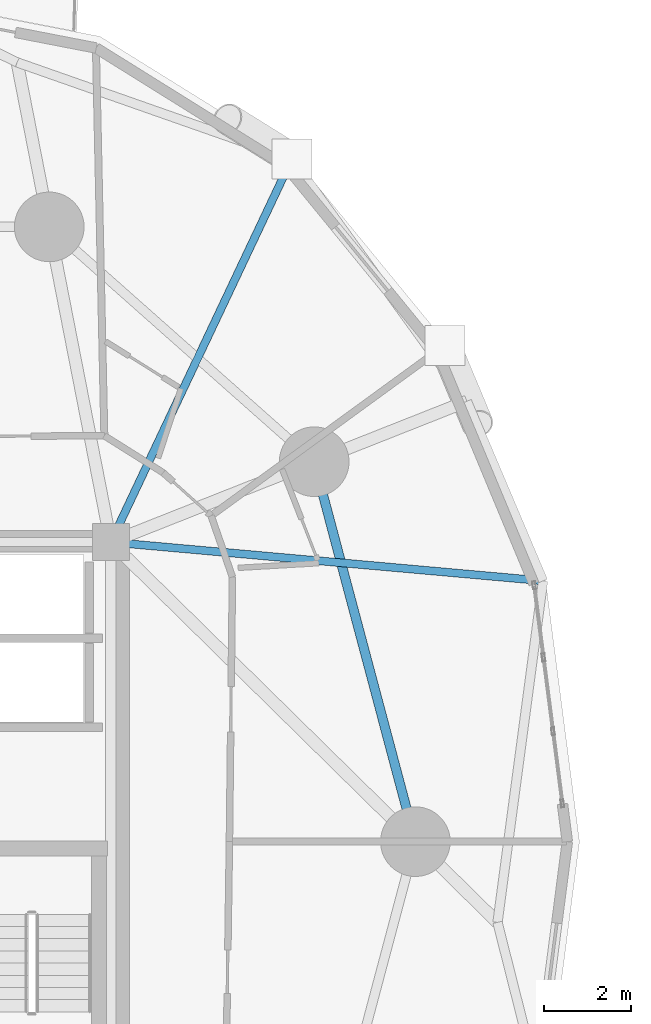
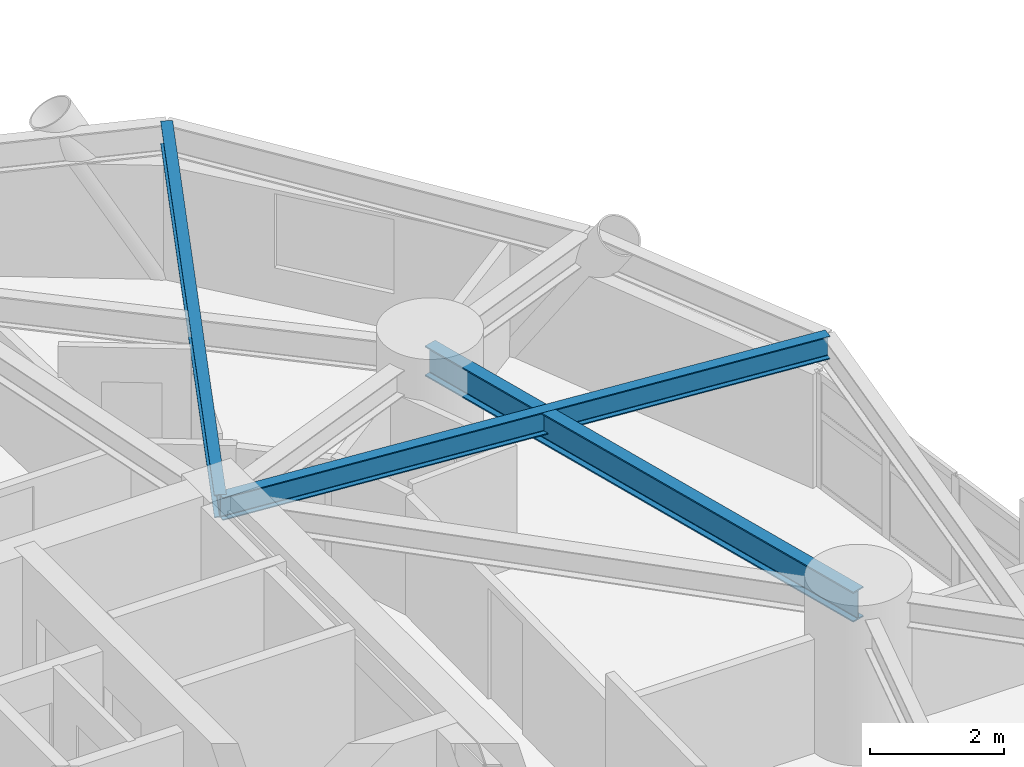
# One storey, part 3 of 19: 3 beams.
"""IFC4 building model written with IfcOpenShell, lengths in metres."""

from ifc_helpers import new_model, si_unit, direction, frame, origin, origin_2d, place, context, subcontext, project, spatial, i_section, extrude, material, material_profile, profile_set, type_object, element, save


model = new_model("IFC4")

# Units and contexts
model_context = context("Model", 3, precision=1e-05, world=origin(), true_north=direction((0.0, 1.0)))
body_context = subcontext(model_context, "Body", "Model", "MODEL_VIEW")
ifc_project = project(units=[si_unit("LENGTHUNIT", "METRE"), si_unit("AREAUNIT", "SQUARE_METRE"), si_unit("VOLUMEUNIT", "CUBIC_METRE"), si_unit("PLANEANGLEUNIT", "RADIAN"), si_unit("MASSUNIT", "GRAM", prefix="KILO")], contexts=[model_context])

# Site, building, storey
site_placement = place(None, origin())
site = spatial("IfcSite", under=ifc_project, at=site_placement, CompositionType="ELEMENT")
building_placement = place(site_placement, origin())
building = spatial("IfcBuilding", under=site, at=building_placement, Name="Cununo Teusaquillo Station Towers", CompositionType="ELEMENT")
storey_placement = place(building_placement, frame((0.0, 0.0, 48.18994140625)))
storey = spatial("IfcBuildingStorey", under=building, at=storey_placement, Name="L14", CompositionType="ELEMENT", Elevation=48.18994140625)

# Beams
ifc_material_1 = material(Name="Steel ASTM A572 Grade 50", Category="steel")
ifc_material_profile_1 = material_profile(ifc_material_1, i_section(OverallWidth=0.180908203125, OverallDepth=0.4169921875, WebThickness=0.010986328125, FlangeThickness=0.018310546875, FilletRadius=0.012939453125, at=origin_2d()), Name="W16X57")
ifc_profile_set_1 = profile_set([ifc_material_profile_1], Name="Steel ASTM A572 Grade 50")
beam_type_1 = type_object("IfcBeamType", Name="BM-JOIST-1", PredefinedType="JOIST", material=ifc_profile_set_1)
beam_1_placement = place(storey_placement, frame((21.675048828125, 31.3798828125, 2.441650390625), z_axis=(0.996024214913, -0.089082901314, 0.0), x_axis=(0.089082901314, 0.996024214913, 0.0)))
element("IfcBeam", 1, at=beam_1_placement, inside=storey, type_object=beam_type_1, Name="L14 Tower A Radial Spandrel Joist V01", PredefinedType="JOIST", context=body_context, shape_type="SweptSolid", body=[
    extrude(i_section(OverallWidth=0.180908203125, OverallDepth=0.4169921875, WebThickness=0.010986328125, FlangeThickness=0.018310546875, FilletRadius=0.012939453125, at=origin_2d()), origin(), (0.0, 0.0, 1.0), 9.97021484375),
])
beam_2_placement = place(storey_placement, frame((21.675048828125, 31.3798828125, 2.441650390625), z_axis=(0.427160580437, 0.904175778552, 0.0), x_axis=(-0.904175778552, 0.427160580437, 0.0)))
element("IfcBeam", 2, at=beam_2_placement, inside=storey, type_object=beam_type_1, Name="L14 Tower A Radial Spandrel Joist V03", PredefinedType="JOIST", context=body_context, shape_type="SweptSolid", body=[
    extrude(i_section(OverallWidth=0.180908203125, OverallDepth=0.4169921875, WebThickness=0.010986328125, FlangeThickness=0.018310546875, FilletRadius=0.012939453125, at=origin_2d()), origin(), (0.0, 0.0, 1.0), 9.740234375),
])
ifc_material_2 = material(Name="Steel ASTM A572 Grade 50", Category="steel")
ifc_material_profile_2 = material_profile(ifc_material_2, i_section(OverallWidth=0.214111328125, OverallDepth=0.549072265625, WebThickness=0.0146484375, FlangeThickness=0.023681640625, FilletRadius=0.014892578125, at=origin_2d()), Name="W21X93")
ifc_profile_set_2 = profile_set([ifc_material_profile_2], Name="Steel ASTM A572 Grade 50")
beam_type_2 = type_object("IfcBeamType", Name="BM-RING-Z1", PredefinedType="SPANDREL", material=ifc_profile_set_2)
beam_3_placement = place(storey_placement, frame((28.672119140625, 24.5, 2.37548828125), z_axis=(-0.257363196347, 0.966314744359, 0.0), x_axis=(-0.966314744359, -0.257363196347, 0.0)))
element("IfcBeam", 3, at=beam_3_placement, inside=storey, type_object=beam_type_2, Name="L14 Tower A Structural Column Ring Girder 01", PredefinedType="SPANDREL", context=body_context, shape_type="SweptSolid", body=[
    extrude(i_section(OverallWidth=0.214111328125, OverallDepth=0.549072265625, WebThickness=0.0146484375, FlangeThickness=0.023681640625, FilletRadius=0.014892578125, at=origin_2d()), origin(), (0.0, 0.0, 1.0), 9.03271484375),
])

save(model, "model.ifc")
